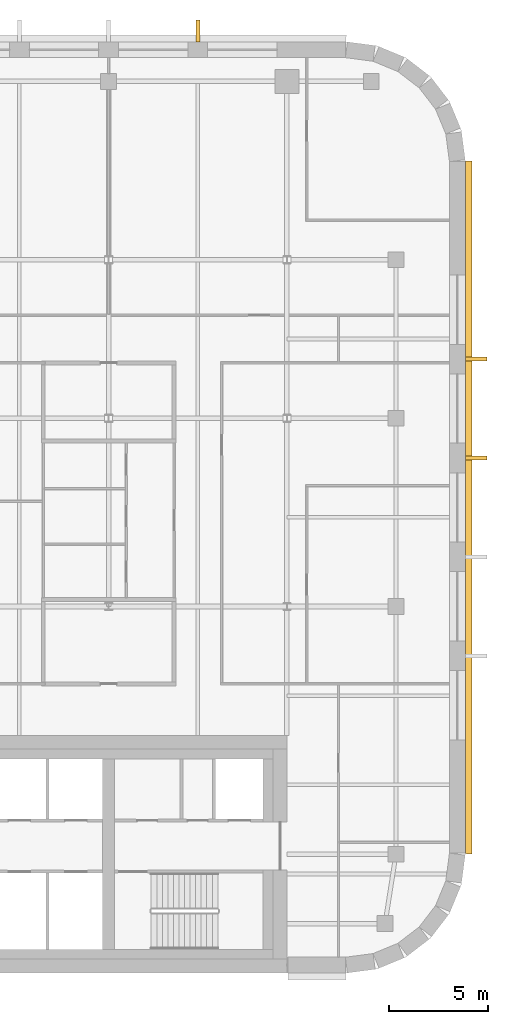
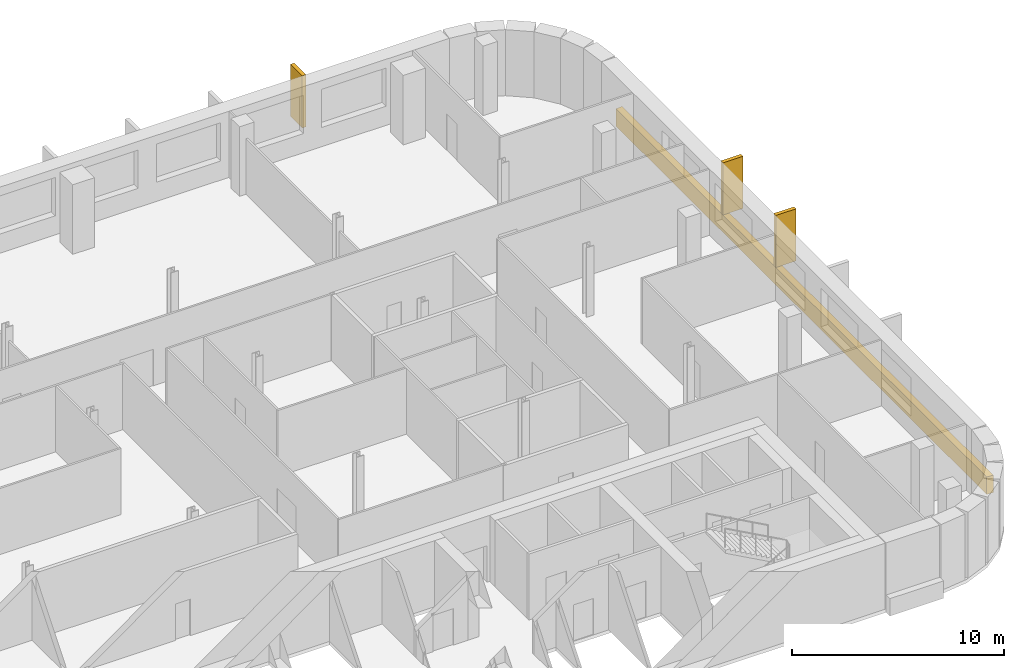
# One storey, part 17 of 17: 4 coverings.
"""IFC4 building model written with IfcOpenShell, lengths in metres."""

import ifcopenshell
import ifcopenshell.guid

model = None  # the IFC model being written
_history = None  # IfcOwnerHistory: only IFC2X3 demands one
_inside = {}  # id of a spatial element -> (the spatial element, [elements in it])
_under = {}  # id of a project, library or spatial element -> (it, [spatial elements below it])
_declared = {}  # id of a project -> (the project, [libraries it declares])
_typed = {}  # id of a type object -> (the type object, [elements of that type])
_made_of = {}  # id of a material, layer set ... -> (it, [elements and type objects made of it])


def new_model(schema):
    """Start an empty IFC model of exactly this schema.

    Asked for "IFC4X3", IfcOpenShell would pick the latest addendum, in which some entities
    have other attributes; the version numbers below select the first issue.
    IFC2X3 requires an IfcOwnerHistory on every rooted entity: one is made here for all.
    """
    global model, _history
    if schema == "IFC4X3":
        model = ifcopenshell.file(schema_version=(4, 3, 0, 0))
    else:
        model = ifcopenshell.file(schema=schema)
    _inside.clear()
    _under.clear()
    _declared.clear()
    _typed.clear()
    _made_of.clear()
    _history = None
    if model.schema == "IFC2X3":
        org = make("IfcOrganization", Name="unknown")
        user = make(
            "IfcPersonAndOrganization",
            ThePerson=make("IfcPerson", FamilyName="unknown"),
            TheOrganization=org,
        )
        app = make(
            "IfcApplication",
            ApplicationDeveloper=org,
            Version="unknown",
            ApplicationFullName="unknown",
            ApplicationIdentifier="unknown",
        )
        _history = make(
            "IfcOwnerHistory",
            OwningUser=user,
            OwningApplication=app,
            ChangeAction="ADDED",
            CreationDate=0,
        )
    return model


def make(cls, **values):
    """One entity of the class cls with the attributes given. An attribute that is None is left unset."""
    return model.create_entity(
        cls, **{name: value for name, value in values.items() if value is not None}
    )


def rooted(cls, **values):
    """An entity with a GlobalId (a new one), such as an element, a storey or a relation."""
    return make(cls, GlobalId=ifcopenshell.guid.new(), OwnerHistory=_history, **values)


def si_unit(unit_type, name, prefix=None):
    """IfcSIUnit, for example si_unit("LENGTHUNIT", "METRE", prefix="MILLI")."""
    return make("IfcSIUnit", UnitType=unit_type, Prefix=prefix, Name=name)


def assignment(units):
    """IfcUnitAssignment: the units of a project."""
    return None if units is None else make("IfcUnitAssignment", Units=units)


def point(xyz):
    """IfcCartesianPoint."""
    return None if xyz is None else make("IfcCartesianPoint", Coordinates=xyz)


def direction(xyz):
    """IfcDirection."""
    return None if xyz is None else make("IfcDirection", DirectionRatios=xyz)


def frame(location, z_axis=None, x_axis=None):
    """IfcAxis2Placement3D, a coordinate frame: its origin and axes. An axis left out is left unset."""
    return make(
        "IfcAxis2Placement3D",
        Location=point(location),
        Axis=direction(z_axis),
        RefDirection=direction(x_axis),
    )


def origin():
    """The frame at (0, 0, 0) with its axes left unset."""
    return frame((0.0, 0.0, 0.0))


def place(relative_to, where):
    """IfcLocalPlacement: puts the frame where relative to a parent placement (None: the world)."""
    return make(
        "IfcLocalPlacement", PlacementRelTo=relative_to, RelativePlacement=where
    )


def context(
    kind, dimensions, precision=None, world=None, true_north=None, identifier=None
):
    """IfcGeometricRepresentationContext, for example the 3D "Model" context."""
    return make(
        "IfcGeometricRepresentationContext",
        ContextIdentifier=identifier,
        ContextType=kind,
        CoordinateSpaceDimension=dimensions,
        Precision=precision,
        WorldCoordinateSystem=world,
        TrueNorth=true_north,
    )


def subcontext(parent, identifier, kind, view, scale=None):
    """IfcGeometricRepresentationSubContext, for example "Body" below "Model"."""
    return make(
        "IfcGeometricRepresentationSubContext",
        ContextIdentifier=identifier,
        ContextType=kind,
        ParentContext=parent,
        TargetScale=scale,
        TargetView=view,
    )


def project(units=None, contexts=None):
    """IfcProject with its units and contexts."""
    return rooted(
        "IfcProject",
        Name="project",
        RepresentationContexts=contexts,
        UnitsInContext=assignment(units),
    )


def spatial(cls, under=None, at=None, **own):
    """A site, building, storey or space (cls), placed at a placement, below another one or the project."""
    s = rooted(cls, ObjectPlacement=at, **own)
    if under is not None:
        _under.setdefault(under.id(), (under, []))[1].append(s)
    return s


def polyline(points):
    """IfcPolyline through the points."""
    return make("IfcPolyline", Points=[point(p) for p in points])


def outline(outer, holes=None, kind="AREA"):
    """IfcArbitraryClosedProfileDef: a profile drawn as a closed curve; with holes, ...WithVoids."""
    if holes is None:
        return make("IfcArbitraryClosedProfileDef", ProfileType=kind, OuterCurve=outer)
    return make(
        "IfcArbitraryProfileDefWithVoids",
        ProfileType=kind,
        OuterCurve=outer,
        InnerCurves=holes,
    )


def extrude(swept, where, along, depth):
    """IfcExtrudedAreaSolid: the profile swept, set in the frame where, extruded along a direction by depth."""
    return make(
        "IfcExtrudedAreaSolid",
        SweptArea=swept,
        Position=where,
        ExtrudedDirection=direction(along),
        Depth=depth,
    )


def shape(context_of_items, identifier, shape_type, items):
    """IfcShapeRepresentation: the items that make up one representation, for example the "Body"."""
    return make(
        "IfcShapeRepresentation",
        ContextOfItems=context_of_items,
        RepresentationIdentifier=identifier,
        RepresentationType=shape_type,
        Items=items,
    )


def material(Name=None, Category=None):
    """IfcMaterial."""
    return make("IfcMaterial", Name=Name, Category=Category)


def layer(
    of_material, thickness, ventilated=None, Name=None, Category=None, Priority=None
):
    """IfcMaterialLayer: one layer of a wall or slab, of a material (None: an air gap)."""
    return make(
        "IfcMaterialLayer",
        Material=of_material,
        LayerThickness=thickness,
        IsVentilated=ventilated,
        Name=Name,
        Category=Category,
        Priority=Priority,
    )


def layer_set(layers, Name=None):
    """IfcMaterialLayerSet."""
    return make("IfcMaterialLayerSet", MaterialLayers=layers, LayerSetName=Name)


def made_of(thing, what):
    """Note that an element or type object is made of a material, layer set ...; save() writes the relation."""
    if what is not None:
        _made_of.setdefault(what.id(), (what, []))[1].append(thing)
    return thing


def type_object(cls, material=None, **own):
    """A type object (cls), such as IfcWallType, which elements share."""
    return made_of(rooted(cls, **own), material)


def element(
    cls,
    number,
    at=None,
    inside=None,
    cuts=None,
    type_object=None,
    material=None,
    context=None,
    identifier="Body",
    shape_type=None,
    held_by="IfcProductDefinitionShape",
    body=None,
    shapes=None,
    **own,
):
    """One element of the class cls, such as IfcWall. Its Tag is "e" and its number.

    at: its placement. inside: the storey or other place that contains it. cuts: it is an
    opening in that element (IfcRelVoidsElement). A single representation is given by context,
    identifier, shape_type and body (its items); several are given by shapes. held_by: the class
    of the entity that holds the representations. save() writes the other relations.
    """
    e = rooted(cls, Tag="e%d" % number, ObjectPlacement=at, **own)
    if body is not None:
        shapes = [shape(context, identifier, shape_type, body)]
    if shapes is not None:
        e.Representation = make(held_by, Representations=shapes)
    if inside is not None:
        _inside.setdefault(inside.id(), (inside, []))[1].append(e)
    if cuts is not None:
        rooted(
            "IfcRelVoidsElement", RelatingBuildingElement=cuts, RelatedOpeningElement=e
        )
    if type_object is not None:
        _typed.setdefault(type_object.id(), (type_object, []))[1].append(e)
    return made_of(e, material)


def aggregate(whole, parts):
    """IfcRelAggregates: a whole, such as a stair, and the parts it consists of."""
    return rooted("IfcRelAggregates", RelatingObject=whole, RelatedObjects=parts)


def save(model, path):
    """Write the relations noted so far, then the file.

    IfcRelAggregates (storeys below a building ...), IfcRelContainedInSpatialStructure (elements
    in a storey), IfcRelDefinesByType, IfcRelAssociatesMaterial and IfcRelDeclares: one each for
    every whole, place, type object, material and project.
    """
    for whole, parts in _under.values():
        aggregate(whole, parts)
    for where, things in _inside.values():
        rooted(
            "IfcRelContainedInSpatialStructure",
            RelatedElements=things,
            RelatingStructure=where,
        )
    for kind, things in _typed.values():
        rooted("IfcRelDefinesByType", RelatedObjects=things, RelatingType=kind)
    for what, things in _made_of.values():
        rooted("IfcRelAssociatesMaterial", RelatedObjects=things, RelatingMaterial=what)
    for by, libraries in _declared.values():
        rooted("IfcRelDeclares", RelatingContext=by, RelatedDefinitions=libraries)
    model.write(path)


model = new_model("IFC4")

# Units and contexts
model_context = context("Model", 3, precision=1e-05, world=origin(), true_north=direction((0.0, 1.0)))
body_context = subcontext(model_context, "Body", "Model", "MODEL_VIEW")
ifc_project = project(units=[si_unit("LENGTHUNIT", "METRE"), si_unit("AREAUNIT", "SQUARE_METRE"), si_unit("VOLUMEUNIT", "CUBIC_METRE"), si_unit("PLANEANGLEUNIT", "RADIAN"), si_unit("MASSUNIT", "GRAM", prefix="KILO")], contexts=[model_context])

# Site, building, storey
site_placement = place(None, origin())
site = spatial("IfcSite", under=ifc_project, at=site_placement, CompositionType="ELEMENT")
building_placement = place(site_placement, origin())
building = spatial("IfcBuilding", under=site, at=building_placement, Name="Zellij Exchange Tower", CompositionType="ELEMENT")
storey_placement = place(building_placement, frame((0.0, 0.0, 224.5)))
storey = spatial("IfcBuildingStorey", under=building, at=storey_placement, Name="L52", CompositionType="ELEMENT", Elevation=224.5)

# Coverings
ifc_material = material(Name="Limestone cladding", Category="masonry")
ifc_layer = layer(ifc_material, 0.35009765625)
ifc_layer_set = layer_set([ifc_layer], Name="Limestone cladding")
covering_type_1 = type_object("IfcCoveringType", Name="ENV-CV10 Stone spandrel band 350", PredefinedType="CLADDING", material=ifc_layer_set)
covering_1_placement = place(storey_placement, frame((0.0, 0.0, -0.199951171875)))
element("IfcCovering", 1, at=covering_1_placement, inside=storey, type_object=covering_type_1, Name="Stone spandrel band", PredefinedType="CLADDING", context=body_context, shape_type="SweptSolid", body=[
    extrude(outline(polyline([(36.0, -7.973876953125), (36.0, 26.973876953125), (36.35009765625, 26.99658203125), (36.35009765625, -7.99658203125), (36.0, -7.973876953125)])), origin(), (0.0, 0.0, 1.0), 1.0),
])
covering_type_2 = type_object("IfcCoveringType", Name="ENV-CV6 Stone pier 200x1100", PredefinedType="CLADDING", material=ifc_material)
covering_2_placement = place(storey_placement, frame((0.0, 0.0, 0.800048828125)))
element("IfcCovering", 2, at=covering_2_placement, inside=storey, type_object=covering_type_2, Name="Stone pier", PredefinedType="CLADDING", context=body_context, shape_type="SweptSolid", body=[
    extrude(outline(polyline([(36.0, 11.896240234375), (36.0, 12.09619140625), (37.10009765625, 12.09619140625), (37.10009765625, 11.896240234375), (36.0, 11.896240234375)])), origin(), (0.0, 0.0, 1.0), 3.0),
])
covering_3_placement = place(storey_placement, frame((0.0, 0.0, 0.800048828125)))
element("IfcCovering", 3, at=covering_3_placement, inside=storey, type_object=covering_type_2, Name="Stone pier", PredefinedType="CLADDING", context=body_context, shape_type="SweptSolid", body=[
    extrude(outline(polyline([(36.0, 16.888916015625), (36.0, 17.0888671875), (37.10009765625, 17.0888671875), (37.10009765625, 16.888916015625), (36.0, 16.888916015625)])), origin(), (0.0, 0.0, 1.0), 3.0),
])
covering_4_placement = place(storey_placement, frame((0.0, 0.0, 0.800048828125)))
element("IfcCovering", 4, at=covering_4_placement, inside=storey, type_object=covering_type_2, Name="Stone pier", PredefinedType="CLADDING", context=body_context, shape_type="SweptSolid", body=[
    extrude(outline(polyline([(22.60009765625, 33.0), (22.39990234375, 33.0), (22.39990234375, 34.10009765625), (22.60009765625, 34.10009765625), (22.60009765625, 33.0)])), origin(), (0.0, 0.0, 1.0), 3.0),
])

save(model, "model.ifc")
